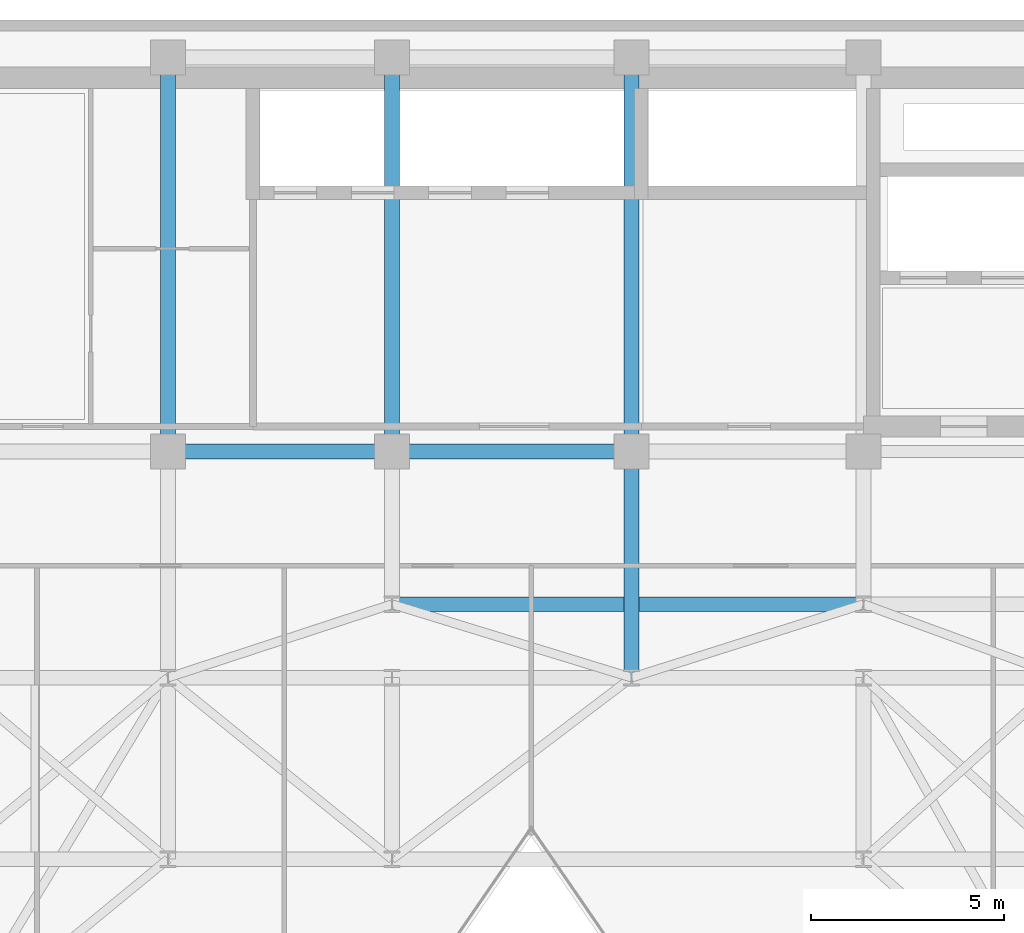
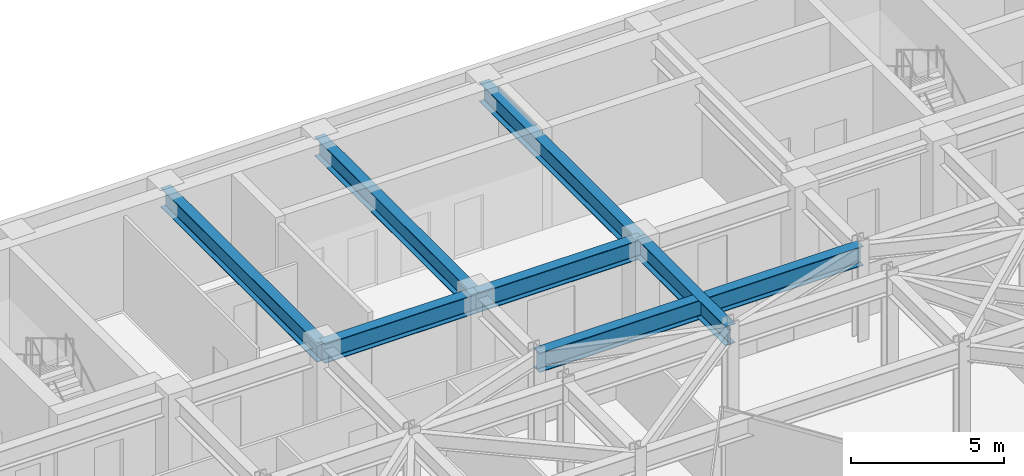
# One storey, part 9 of 21: 7 beams.
"""IFC4 building model written with IfcOpenShell, lengths in metres."""

import ifcopenshell
import ifcopenshell.guid

model = None  # the IFC model being written
_history = None  # IfcOwnerHistory: only IFC2X3 demands one
_inside = {}  # id of a spatial element -> (the spatial element, [elements in it])
_under = {}  # id of a project, library or spatial element -> (it, [spatial elements below it])
_declared = {}  # id of a project -> (the project, [libraries it declares])
_typed = {}  # id of a type object -> (the type object, [elements of that type])
_made_of = {}  # id of a material, layer set ... -> (it, [elements and type objects made of it])


def new_model(schema):
    """Start an empty IFC model of exactly this schema.

    Asked for "IFC4X3", IfcOpenShell would pick the latest addendum, in which some entities
    have other attributes; the version numbers below select the first issue.
    IFC2X3 requires an IfcOwnerHistory on every rooted entity: one is made here for all.
    """
    global model, _history
    if schema == "IFC4X3":
        model = ifcopenshell.file(schema_version=(4, 3, 0, 0))
    else:
        model = ifcopenshell.file(schema=schema)
    _inside.clear()
    _under.clear()
    _declared.clear()
    _typed.clear()
    _made_of.clear()
    _history = None
    if model.schema == "IFC2X3":
        org = make("IfcOrganization", Name="unknown")
        user = make(
            "IfcPersonAndOrganization",
            ThePerson=make("IfcPerson", FamilyName="unknown"),
            TheOrganization=org,
        )
        app = make(
            "IfcApplication",
            ApplicationDeveloper=org,
            Version="unknown",
            ApplicationFullName="unknown",
            ApplicationIdentifier="unknown",
        )
        _history = make(
            "IfcOwnerHistory",
            OwningUser=user,
            OwningApplication=app,
            ChangeAction="ADDED",
            CreationDate=0,
        )
    return model


def make(cls, **values):
    """One entity of the class cls with the attributes given. An attribute that is None is left unset."""
    return model.create_entity(
        cls, **{name: value for name, value in values.items() if value is not None}
    )


def rooted(cls, **values):
    """An entity with a GlobalId (a new one), such as an element, a storey or a relation."""
    return make(cls, GlobalId=ifcopenshell.guid.new(), OwnerHistory=_history, **values)


def si_unit(unit_type, name, prefix=None):
    """IfcSIUnit, for example si_unit("LENGTHUNIT", "METRE", prefix="MILLI")."""
    return make("IfcSIUnit", UnitType=unit_type, Prefix=prefix, Name=name)


def assignment(units):
    """IfcUnitAssignment: the units of a project."""
    return None if units is None else make("IfcUnitAssignment", Units=units)


def point(xyz):
    """IfcCartesianPoint."""
    return None if xyz is None else make("IfcCartesianPoint", Coordinates=xyz)


def direction(xyz):
    """IfcDirection."""
    return None if xyz is None else make("IfcDirection", DirectionRatios=xyz)


def frame(location, z_axis=None, x_axis=None):
    """IfcAxis2Placement3D, a coordinate frame: its origin and axes. An axis left out is left unset."""
    return make(
        "IfcAxis2Placement3D",
        Location=point(location),
        Axis=direction(z_axis),
        RefDirection=direction(x_axis),
    )


def frame_2d(location, x_axis=None):
    """IfcAxis2Placement2D, a coordinate frame in the plane: its origin and x axis."""
    return make(
        "IfcAxis2Placement2D", Location=point(location), RefDirection=direction(x_axis)
    )


def origin():
    """The frame at (0, 0, 0) with its axes left unset."""
    return frame((0.0, 0.0, 0.0))


def origin_2d():
    """The frame at (0, 0) in the plane with its x axis left unset."""
    return frame_2d((0.0, 0.0))


def place(relative_to, where):
    """IfcLocalPlacement: puts the frame where relative to a parent placement (None: the world)."""
    return make(
        "IfcLocalPlacement", PlacementRelTo=relative_to, RelativePlacement=where
    )


def context(
    kind, dimensions, precision=None, world=None, true_north=None, identifier=None
):
    """IfcGeometricRepresentationContext, for example the 3D "Model" context."""
    return make(
        "IfcGeometricRepresentationContext",
        ContextIdentifier=identifier,
        ContextType=kind,
        CoordinateSpaceDimension=dimensions,
        Precision=precision,
        WorldCoordinateSystem=world,
        TrueNorth=true_north,
    )


def subcontext(parent, identifier, kind, view, scale=None):
    """IfcGeometricRepresentationSubContext, for example "Body" below "Model"."""
    return make(
        "IfcGeometricRepresentationSubContext",
        ContextIdentifier=identifier,
        ContextType=kind,
        ParentContext=parent,
        TargetScale=scale,
        TargetView=view,
    )


def project(units=None, contexts=None):
    """IfcProject with its units and contexts."""
    return rooted(
        "IfcProject",
        Name="project",
        RepresentationContexts=contexts,
        UnitsInContext=assignment(units),
    )


def spatial(cls, under=None, at=None, **own):
    """A site, building, storey or space (cls), placed at a placement, below another one or the project."""
    s = rooted(cls, ObjectPlacement=at, **own)
    if under is not None:
        _under.setdefault(under.id(), (under, []))[1].append(s)
    return s


def profile(cls, at=None, kind="AREA", **sizes):
    """A parametric profile (cls). Its sizes go by their IFC names, for example OverallWidth=200.0."""
    return make(cls, ProfileType=kind, Position=at, **sizes)


def i_section(**sizes):
    """IfcIShapeProfileDef."""
    return profile("IfcIShapeProfileDef", **sizes)


def extrude(swept, where, along, depth):
    """IfcExtrudedAreaSolid: the profile swept, set in the frame where, extruded along a direction by depth."""
    return make(
        "IfcExtrudedAreaSolid",
        SweptArea=swept,
        Position=where,
        ExtrudedDirection=direction(along),
        Depth=depth,
    )


def shape(context_of_items, identifier, shape_type, items):
    """IfcShapeRepresentation: the items that make up one representation, for example the "Body"."""
    return make(
        "IfcShapeRepresentation",
        ContextOfItems=context_of_items,
        RepresentationIdentifier=identifier,
        RepresentationType=shape_type,
        Items=items,
    )


def material(Name=None, Category=None):
    """IfcMaterial."""
    return make("IfcMaterial", Name=Name, Category=Category)


def material_profile(
    of_material, cross_section, Name=None, Category=None, Priority=None
):
    """IfcMaterialProfile: a cross section and its material."""
    return make(
        "IfcMaterialProfile",
        Name=Name,
        Material=of_material,
        Profile=cross_section,
        Priority=Priority,
        Category=Category,
    )


def profile_set(profiles, Name=None, composite=None):
    """IfcMaterialProfileSet."""
    return make(
        "IfcMaterialProfileSet",
        Name=Name,
        MaterialProfiles=profiles,
        CompositeProfile=composite,
    )


def made_of(thing, what):
    """Note that an element or type object is made of a material, layer set ...; save() writes the relation."""
    if what is not None:
        _made_of.setdefault(what.id(), (what, []))[1].append(thing)
    return thing


def type_object(cls, material=None, **own):
    """A type object (cls), such as IfcWallType, which elements share."""
    return made_of(rooted(cls, **own), material)


def element(
    cls,
    number,
    at=None,
    inside=None,
    cuts=None,
    type_object=None,
    material=None,
    context=None,
    identifier="Body",
    shape_type=None,
    held_by="IfcProductDefinitionShape",
    body=None,
    shapes=None,
    **own,
):
    """One element of the class cls, such as IfcWall. Its Tag is "e" and its number.

    at: its placement. inside: the storey or other place that contains it. cuts: it is an
    opening in that element (IfcRelVoidsElement). A single representation is given by context,
    identifier, shape_type and body (its items); several are given by shapes. held_by: the class
    of the entity that holds the representations. save() writes the other relations.
    """
    e = rooted(cls, Tag="e%d" % number, ObjectPlacement=at, **own)
    if body is not None:
        shapes = [shape(context, identifier, shape_type, body)]
    if shapes is not None:
        e.Representation = make(held_by, Representations=shapes)
    if inside is not None:
        _inside.setdefault(inside.id(), (inside, []))[1].append(e)
    if cuts is not None:
        rooted(
            "IfcRelVoidsElement", RelatingBuildingElement=cuts, RelatedOpeningElement=e
        )
    if type_object is not None:
        _typed.setdefault(type_object.id(), (type_object, []))[1].append(e)
    return made_of(e, material)


def aggregate(whole, parts):
    """IfcRelAggregates: a whole, such as a stair, and the parts it consists of."""
    return rooted("IfcRelAggregates", RelatingObject=whole, RelatedObjects=parts)


def save(model, path):
    """Write the relations noted so far, then the file.

    IfcRelAggregates (storeys below a building ...), IfcRelContainedInSpatialStructure (elements
    in a storey), IfcRelDefinesByType, IfcRelAssociatesMaterial and IfcRelDeclares: one each for
    every whole, place, type object, material and project.
    """
    for whole, parts in _under.values():
        aggregate(whole, parts)
    for where, things in _inside.values():
        rooted(
            "IfcRelContainedInSpatialStructure",
            RelatedElements=things,
            RelatingStructure=where,
        )
    for kind, things in _typed.values():
        rooted("IfcRelDefinesByType", RelatedObjects=things, RelatingType=kind)
    for what, things in _made_of.values():
        rooted("IfcRelAssociatesMaterial", RelatedObjects=things, RelatingMaterial=what)
    for by, libraries in _declared.values():
        rooted("IfcRelDeclares", RelatingContext=by, RelatedDefinitions=libraries)
    model.write(path)


model = new_model("IFC4")

# Units and contexts
model_context = context("Model", 3, precision=1e-05, world=origin(), true_north=direction((0.0, 1.0)))
body_context = subcontext(model_context, "Body", "Model", "MODEL_VIEW")
ifc_project = project(units=[si_unit("LENGTHUNIT", "METRE"), si_unit("AREAUNIT", "SQUARE_METRE"), si_unit("VOLUMEUNIT", "CUBIC_METRE"), si_unit("PLANEANGLEUNIT", "RADIAN"), si_unit("MASSUNIT", "GRAM", prefix="KILO")], contexts=[model_context])

# Site, building, storey
site_placement = place(None, origin())
site = spatial("IfcSite", under=ifc_project, at=site_placement, CompositionType="ELEMENT")
building_placement = place(site_placement, origin())
building = spatial("IfcBuilding", under=site, at=building_placement, Name="Kravanh Interchange Tower", CompositionType="ELEMENT")
storey_placement = place(building_placement, frame((0.0, 0.0, 168.5)))
storey = spatial("IfcBuildingStorey", under=building, at=storey_placement, Name="L40", CompositionType="ELEMENT", Elevation=168.5)

# Beams
ifc_material = material(Name="Structural Steel S355", Category="steel")
ifc_material_profile = material_profile(ifc_material, i_section(OverallWidth=0.381103515625, OverallDepth=0.77294921875, WebThickness=0.0166015625, FlangeThickness=0.027099609375, FilletRadius=0.02490234375, at=origin_2d()), Name="W30X173")
ifc_profile_set = profile_set([ifc_material_profile], Name="Structural Steel S355")
beam_type = type_object("IfcBeamType", Name="Floor Beam W30X173 Structural Steel S355", PredefinedType="BEAM", material=ifc_profile_set)
beam_1_placement = place(storey_placement, frame((44.800048828125, 37.35009765625, 3.368408203125), z_axis=(0.0, -1.0, 0.0), x_axis=(1.0, 0.0, 0.0)))
element("IfcBeam", 1, at=beam_1_placement, inside=storey, type_object=beam_type, Name="L40 Primary Floor Girder 12", PredefinedType="BEAM", context=body_context, shape_type="SweptSolid", body=[
    extrude(i_section(OverallWidth=0.381103515625, OverallDepth=0.77294921875, WebThickness=0.0166015625, FlangeThickness=0.027099609375, FilletRadius=0.02490234375, at=origin_2d()), origin(), (0.0, 0.0, 1.0), 5.85009765625),
])
beam_2_placement = place(storey_placement, frame((44.800048828125, 37.35009765625, 3.368408203125), z_axis=(-1.0, 0.0, 0.0), x_axis=(0.0, -1.0, 0.0)))
element("IfcBeam", 2, at=beam_2_placement, inside=storey, type_object=beam_type, Name="L40 Primary Floor Girder 13", PredefinedType="BEAM", context=body_context, shape_type="SweptSolid", body=[
    extrude(i_section(OverallWidth=0.381103515625, OverallDepth=0.77294921875, WebThickness=0.0166015625, FlangeThickness=0.027099609375, FilletRadius=0.02490234375, at=origin_2d()), origin(), (0.0, 0.0, 1.0), 6.199951171875),
])
beam_3_placement = place(storey_placement, frame((44.800048828125, 37.35009765625, 3.368408203125), z_axis=(0.0, 1.0, 0.0), x_axis=(-1.0, 0.0, 0.0)))
element("IfcBeam", 3, at=beam_3_placement, inside=storey, type_object=beam_type, Name="L40 Primary Floor Girder 14", PredefinedType="BEAM", context=body_context, shape_type="SweptSolid", body=[
    extrude(i_section(OverallWidth=0.381103515625, OverallDepth=0.77294921875, WebThickness=0.0166015625, FlangeThickness=0.027099609375, FilletRadius=0.02490234375, at=origin_2d()), origin(), (0.0, 0.0, 1.0), 10.199951171875),
])
beam_4_placement = place(storey_placement, frame((38.60009765625, 37.35009765625, 3.368408203125), z_axis=(-1.0, 0.0, 0.0), x_axis=(0.0, -1.0, 0.0)))
element("IfcBeam", 4, at=beam_4_placement, inside=storey, type_object=beam_type, Name="L40 Primary Floor Girder 17", PredefinedType="BEAM", context=body_context, shape_type="SweptSolid", body=[
    extrude(i_section(OverallWidth=0.381103515625, OverallDepth=0.77294921875, WebThickness=0.0166015625, FlangeThickness=0.027099609375, FilletRadius=0.02490234375, at=origin_2d()), origin(), (0.0, 0.0, 1.0), 5.800048828125),
])
for number, where, z_axis, x_axis, name in (
    (5, (38.60009765625, 37.35009765625, 3.368408203125), (0.0, 1.0, 0.0), (-1.0, 0.0, 0.0), "L40 Primary Floor Girder 18"),
    (6, (32.800048828125, 37.35009765625, 3.368408203125), (0.0, 1.0, 0.0), (-1.0, 0.0, 0.0), "L40 Primary Floor Girder 22"),
):
    element("IfcBeam", number, at=place(storey_placement, frame(where, z_axis=z_axis, x_axis=x_axis)), inside=storey, type_object=beam_type, Name=name, PredefinedType="BEAM", context=body_context, shape_type="SweptSolid", body=[
        extrude(i_section(OverallWidth=0.381103515625, OverallDepth=0.77294921875, WebThickness=0.0166015625, FlangeThickness=0.027099609375, FilletRadius=0.02490234375, at=origin_2d()), origin(), (0.0, 0.0, 1.0), 10.199951171875),
    ])
beam_5_placement = place(storey_placement, frame((38.60009765625, 33.39990234375, 3.368408203125), z_axis=(1.0, 0.0, 0.0), x_axis=(0.0, 1.0, 0.0)))
element("IfcBeam", 7, at=beam_5_placement, inside=storey, type_object=beam_type, Name="L40 Primary Floor Girder 94", PredefinedType="BEAM", context=body_context, shape_type="SweptSolid", body=[
    extrude(i_section(OverallWidth=0.381103515625, OverallDepth=0.77294921875, WebThickness=0.0166015625, FlangeThickness=0.027099609375, FilletRadius=0.02490234375, at=origin_2d()), origin(), (0.0, 0.0, 1.0), 12.199951171875),
])

save(model, "model.ifc")
